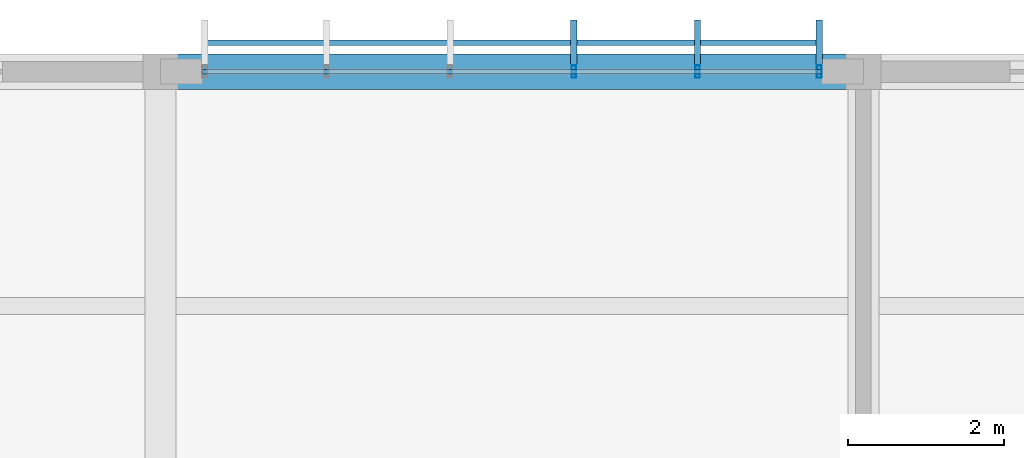
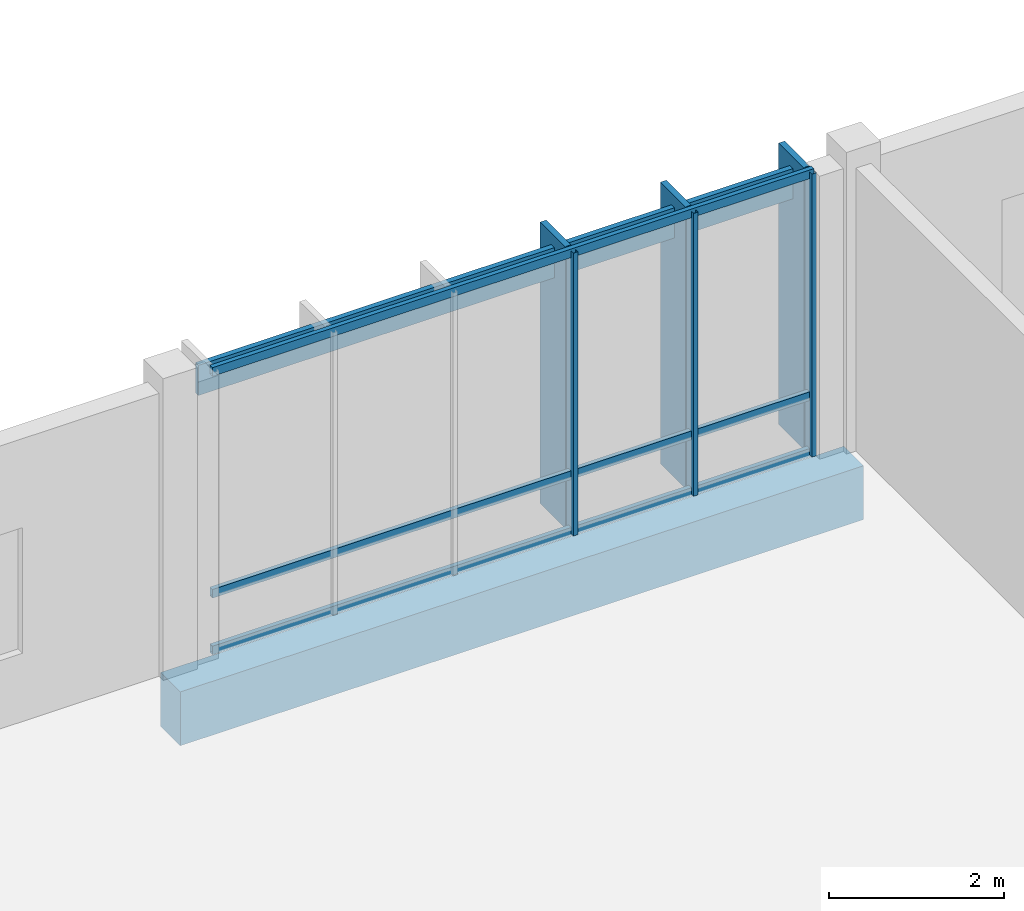
# One storey, part 67 of 94: 10 members, 1 beam, 1 element without a shape of its own.
"""IFC4 building model written with IfcOpenShell, lengths in metres."""

from ifc_helpers import new_model, si_unit, direction, frame, origin, origin_2d, place, context, subcontext, project, spatial, rectangle, hollow_rectangle, extrude, material, material_profile, profile_set, type_object, element, aggregate, save


model = new_model("IFC4")

# Units and contexts
model_context = context("Model", 3, precision=1e-05, world=origin(), true_north=direction((0.0, 1.0)))
body_context = subcontext(model_context, "Body", "Model", "MODEL_VIEW")
ifc_project = project(units=[si_unit("LENGTHUNIT", "METRE"), si_unit("AREAUNIT", "SQUARE_METRE"), si_unit("VOLUMEUNIT", "CUBIC_METRE"), si_unit("PLANEANGLEUNIT", "RADIAN"), si_unit("MASSUNIT", "GRAM", prefix="KILO")], contexts=[model_context])

# Site, building, storey
site_placement = place(None, origin())
site = spatial("IfcSite", under=ifc_project, at=site_placement, CompositionType="ELEMENT")
building_placement = place(site_placement, origin())
building = spatial("IfcBuilding", under=site, at=building_placement, Name="Chiffa Square Polytechnic", CompositionType="ELEMENT")
storey_placement = place(building_placement, frame((0.0, 0.0, 18.0)))
storey = spatial("IfcBuildingStorey", under=building, at=storey_placement, Name="L04", CompositionType="ELEMENT", Elevation=18.0)

# Beam
ifc_material_1 = material(Name="Concrete C35/45", Category="concrete")
ifc_material_profile_1 = material_profile(ifc_material_1, rectangle(XDim=0.449951171875, YDim=0.75, at=origin_2d()), Name="RC 450x750")
ifc_profile_set_1 = profile_set([ifc_material_profile_1], Name="Concrete C35/45")
beam_type = type_object("IfcBeamType", Name="BM-RC-450X750", PredefinedType="BEAM", material=ifc_profile_set_1)
beam_placement = place(storey_placement, frame((75.60009765625, 130.800048828125, -0.614990234375), z_axis=(1.0, 0.0, 0.0), x_axis=(0.0, 1.0, 0.0)))
element("IfcBeam", 1, at=beam_placement, inside=storey, type_object=beam_type, Name="Primary floor girder BM-V5-L04-X-0756-1308", PredefinedType="BEAM", context=body_context, shape_type="SweptSolid", body=[
    extrude(rectangle(XDim=0.449951171875, YDim=0.75, at=origin_2d()), origin(), (0.0, 0.0, 1.0), 9.0),
])

# Curtain wall, members
ifc_material_2 = material(Name="Aluminium EN AW-6060 T66 and glulam shading", Category="wood")
curtain_wall_type = type_object("IfcCurtainWallType", Name="CW-VERT-600X380", PredefinedType="USERDEFINED", material=ifc_material_2)
curtain_wall_placement = place(storey_placement, origin())
curtain_wall = element("IfcCurtainWall", 2, at=curtain_wall_placement, inside=storey, type_object=curtain_wall_type, Name="Curtain wall CW-V5-L04-244", ObjectType="CURTAIN WALL", PredefinedType="USERDEFINED")
ifc_material_3 = material(Name="Aluminium EN AW-6060 T66", Category="aluminium")
ifc_material_profile_2 = material_profile(ifc_material_3, hollow_rectangle(XDim=0.06005859375, YDim=0.159912109375, WallThickness=0.00390625, at=origin_2d()), Name="ALU 60x160x4")
ifc_profile_set_2 = profile_set([ifc_material_profile_2], Name="Aluminium EN AW-6060 T66")
member_type_1 = type_object("IfcMemberType", Name="CWM-ALU-65X150", PredefinedType="MULLION", material=ifc_profile_set_2)
member_1_placement = place(storey_placement, frame((84.034912109375, 130.800048828125, 0.0), z_axis=(0.0, 0.0, 1.0), x_axis=(1.0, 0.0, 0.0)))
member_1 = element("IfcMember", 3, at=member_1_placement, type_object=member_type_1, Name="Curtain wall mullion CW-V5-L04-244-M00", PredefinedType="MULLION", context=body_context, shape_type="SweptSolid", body=[
    extrude(hollow_rectangle(XDim=0.06005859375, YDim=0.159912109375, WallThickness=0.00390625, at=origin_2d()), origin(), (0.0, 0.0, 1.0), 3.93994140625),
])
member_2_placement = place(storey_placement, frame((82.47607421875, 130.800048828125, 0.0), z_axis=(0.0, 0.0, 1.0), x_axis=(1.0, 0.0, 0.0)))
member_2 = element("IfcMember", 4, at=member_2_placement, type_object=member_type_1, Name="Curtain wall mullion CW-V5-L04-244-M01", PredefinedType="MULLION", context=body_context, shape_type="SweptSolid", body=[
    extrude(hollow_rectangle(XDim=0.06005859375, YDim=0.159912109375, WallThickness=0.00390625, at=origin_2d()), origin(), (0.0, 0.0, 1.0), 3.93994140625),
])
member_3_placement = place(storey_placement, frame((80.89208984375, 130.800048828125, 0.0), z_axis=(0.0, 0.0, 1.0), x_axis=(1.0, 0.0, 0.0)))
member_3 = element("IfcMember", 5, at=member_3_placement, type_object=member_type_1, Name="Curtain wall mullion CW-V5-L04-244-M02", PredefinedType="MULLION", context=body_context, shape_type="SweptSolid", body=[
    extrude(hollow_rectangle(XDim=0.06005859375, YDim=0.159912109375, WallThickness=0.00390625, at=origin_2d()), origin(), (0.0, 0.0, 1.0), 3.93994140625),
])
ifc_material_4 = material(Name="Glulam GL28h", Category="wood")
ifc_material_profile_3 = material_profile(ifc_material_4, rectangle(XDim=0.080078125, YDim=0.580078125, at=origin_2d()), Name="GL28h 80x580")
ifc_profile_set_3 = profile_set([ifc_material_profile_3], Name="Glulam GL28h")
member_type_2 = type_object("IfcMemberType", Name="CWM-GL-80X580", PredefinedType="MULLION", material=ifc_profile_set_3)
member_4_placement = place(storey_placement, frame((84.034912109375, 131.172119140625, 0.010009765625), z_axis=(0.0, 0.0, 1.0), x_axis=(-1.0, 0.0, 0.0)))
member_4 = element("IfcMember", 6, at=member_4_placement, type_object=member_type_2, Name="Exterior glulam solar fin CW-V5-L04-244-FN00", PredefinedType="MULLION", context=body_context, shape_type="SweptSolid", body=[
    extrude(rectangle(XDim=0.080078125, YDim=0.580078125, at=origin_2d()), origin(), (0.0, 0.0, 1.0), 3.919921875),
])
member_5_placement = place(storey_placement, frame((82.47607421875, 131.172119140625, 0.010009765625), z_axis=(0.0, 0.0, 1.0), x_axis=(-1.0, 0.0, 0.0)))
member_5 = element("IfcMember", 7, at=member_5_placement, type_object=member_type_2, Name="Exterior glulam solar fin CW-V5-L04-244-FN01", PredefinedType="MULLION", context=body_context, shape_type="SweptSolid", body=[
    extrude(rectangle(XDim=0.080078125, YDim=0.580078125, at=origin_2d()), origin(), (0.0, 0.0, 1.0), 3.919921875),
])
member_6_placement = place(storey_placement, frame((80.89208984375, 131.172119140625, 0.010009765625), z_axis=(0.0, 0.0, 1.0), x_axis=(-1.0, 0.0, 0.0)))
member_6 = element("IfcMember", 8, at=member_6_placement, type_object=member_type_2, Name="Exterior glulam solar fin CW-V5-L04-244-FN02", PredefinedType="MULLION", context=body_context, shape_type="SweptSolid", body=[
    extrude(rectangle(XDim=0.080078125, YDim=0.580078125, at=origin_2d()), origin(), (0.0, 0.0, 1.0), 3.919921875),
])
ifc_material_profile_4 = material_profile(ifc_material_3, hollow_rectangle(XDim=0.06005859375, YDim=0.1201171875, WallThickness=0.00390625, at=origin_2d()), Name="ALU 60x120x4")
ifc_profile_set_4 = profile_set([ifc_material_profile_4], Name="Aluminium EN AW-6060 T66")
member_type_3 = type_object("IfcMemberType", Name="CWT-ALU-65X120", PredefinedType="USERDEFINED", material=ifc_profile_set_4)
member_7_placement = place(storey_placement, frame((84.06201171875, 130.800048828125, 0.030029296875), z_axis=(-1.0, 0.0, 0.0), x_axis=(0.0, -1.0, 0.0)))
member_7 = element("IfcMember", 9, at=member_7_placement, type_object=member_type_3, Name="Curtain wall transom CW-V5-L04-244-T01", ObjectType="TRANSOM", PredefinedType="USERDEFINED", context=body_context, shape_type="SweptSolid", body=[
    extrude(hollow_rectangle(XDim=0.06005859375, YDim=0.1201171875, WallThickness=0.00390625, at=origin_2d()), origin(), (0.0, 0.0, 1.0), 7.924072265625),
])
member_8_placement = place(storey_placement, frame((84.06201171875, 130.800048828125, 0.820068359375), z_axis=(-1.0, 0.0, 0.0), x_axis=(0.0, -1.0, 0.0)))
member_8 = element("IfcMember", 10, at=member_8_placement, type_object=member_type_3, Name="Curtain wall transom CW-V5-L04-244-T02", ObjectType="TRANSOM", PredefinedType="USERDEFINED", context=body_context, shape_type="SweptSolid", body=[
    extrude(hollow_rectangle(XDim=0.06005859375, YDim=0.1201171875, WallThickness=0.00390625, at=origin_2d()), origin(), (0.0, 0.0, 1.0), 7.924072265625),
])
member_9_placement = place(storey_placement, frame((84.06201171875, 130.800048828125, 3.909912109375), z_axis=(-1.0, 0.0, 0.0), x_axis=(0.0, -1.0, 0.0)))
member_9 = element("IfcMember", 11, at=member_9_placement, type_object=member_type_3, Name="Curtain wall transom CW-V5-L04-244-T03", ObjectType="TRANSOM", PredefinedType="USERDEFINED", context=body_context, shape_type="SweptSolid", body=[
    extrude(hollow_rectangle(XDim=0.06005859375, YDim=0.1201171875, WallThickness=0.00390625, at=origin_2d()), origin(), (0.0, 0.0, 1.0), 7.924072265625),
])
ifc_material_profile_5 = material_profile(ifc_material_4, rectangle(XDim=0.070068359375, YDim=0.419921875, at=origin_2d()), Name="GL28h 70x420")
ifc_profile_set_5 = profile_set([ifc_material_profile_5], Name="Glulam GL28h")
member_type_4 = type_object("IfcMemberType", Name="CWT-GL-70X420", PredefinedType="USERDEFINED", material=ifc_profile_set_5)
member_10_placement = place(storey_placement, frame((84.034912109375, 131.172119140625, 3.56005859375), z_axis=(-1.0, 0.0, 0.0), x_axis=(0.0, -1.0, 0.0)))
member_10 = element("IfcMember", 12, at=member_10_placement, type_object=member_type_4, Name="Exterior glulam brise-soleil CW-V5-L04-244-BS01", ObjectType="TRANSOM", PredefinedType="USERDEFINED", context=body_context, shape_type="SweptSolid", body=[
    extrude(rectangle(XDim=0.070068359375, YDim=0.419921875, at=origin_2d()), origin(), (0.0, 0.0, 1.0), 7.869873046875),
])
aggregate(curtain_wall, [member_1, member_4, member_2, member_5, member_3, member_6, member_7, member_8, member_9, member_10])

save(model, "model.ifc")
